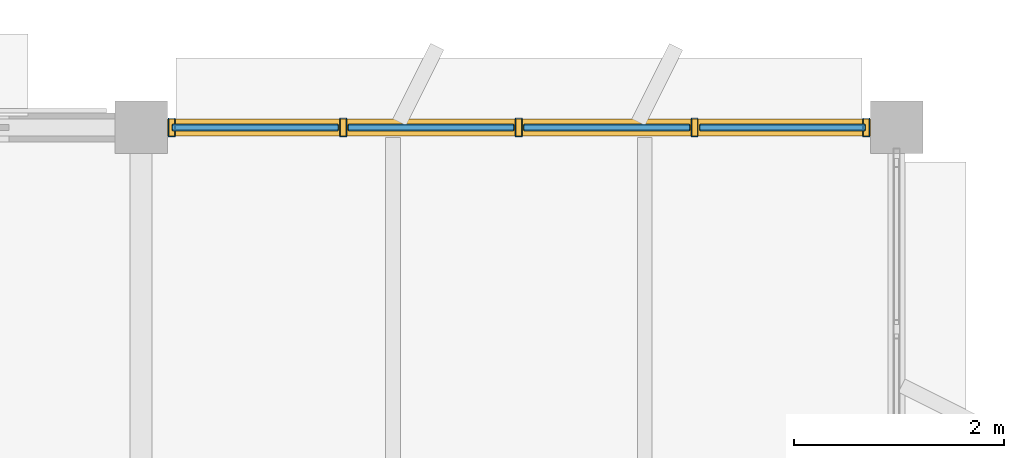
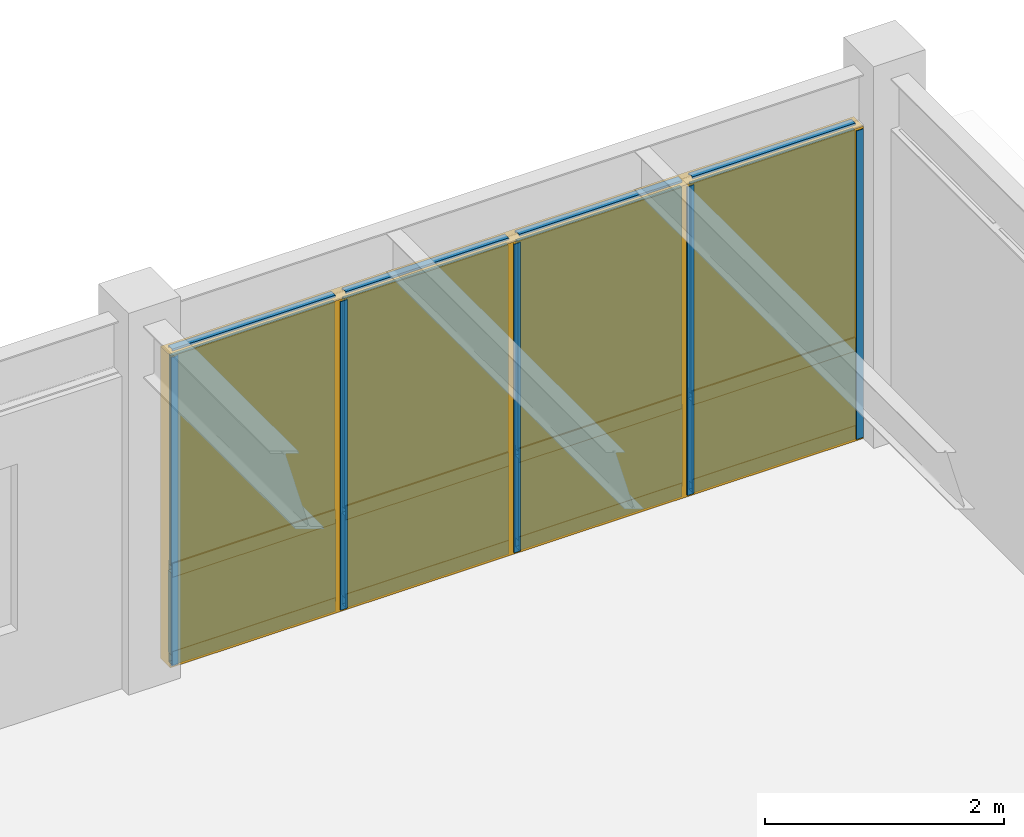
# One storey, part 18 of 23: 17 members, 8 plates, 1 curtain wall.
"""IFC4 building model written with IfcOpenShell, lengths in metres."""

from ifc_helpers import new_model, si_unit, direction, frame, origin, origin_2d, place, context, subcontext, project, spatial, rectangle, hollow_rectangle, extrude, material, layer, layer_set, material_profile, profile_set, type_object, element, aggregate, save


model = new_model("IFC4")

# Units and contexts
model_context = context("Model", 3, precision=1e-05, world=origin(), true_north=direction((0.0, 1.0)))
body_context = subcontext(model_context, "Body", "Model", "MODEL_VIEW")
ifc_project = project(units=[si_unit("LENGTHUNIT", "METRE"), si_unit("AREAUNIT", "SQUARE_METRE"), si_unit("VOLUMEUNIT", "CUBIC_METRE"), si_unit("PLANEANGLEUNIT", "RADIAN"), si_unit("MASSUNIT", "GRAM", prefix="KILO")], contexts=[model_context])

# Member
ifc_material_1 = material(Name="Anodized Aluminium 6063-T6", Category="aluminium")
ifc_material_profile_1 = material_profile(ifc_material_1, hollow_rectangle(XDim=0.06494140625, YDim=0.179931640625, WallThickness=0.00390625, at=origin_2d()), Name="ALU 65x180x4")
ifc_profile_set_1 = profile_set([ifc_material_profile_1], Name="Anodized Aluminium 6063-T6")
member_type_1 = type_object("IfcMemberType", Name="CWM-65X150", PredefinedType="MULLION", material=ifc_profile_set_1)
site_placement = place(None, origin())
building_placement = place(site_placement, origin())
storey_placement = place(building_placement, frame((0.0, 0.0, 21.89990234375)))
member_1_placement = place(storey_placement, frame((93.889892578125, 115.199951171875, 0.02001953125), z_axis=(0.0, 0.0, 1.0), x_axis=(1.0, 0.0, 0.0)))
member_1 = element("IfcMember", 1, at=member_1_placement, type_object=member_type_1, Name="Curtain wall mullion CW-L06-13-15-N-00", PredefinedType="MULLION", context=body_context, shape_type="SweptSolid", body=[
    extrude(hollow_rectangle(XDim=0.06494140625, YDim=0.179931640625, WallThickness=0.00390625, at=origin_2d()), origin(), (0.0, 0.0, 1.0), 3.152099609375),
])

member_2_placement = place(storey_placement, frame((95.52490234375, 115.199951171875, 0.02001953125), z_axis=(0.0, 0.0, 1.0), x_axis=(1.0, 0.0, 0.0)))
member_2 = element("IfcMember", 2, at=member_2_placement, type_object=member_type_1, Name="Curtain wall mullion CW-L06-13-15-N-01", PredefinedType="MULLION", context=body_context, shape_type="SweptSolid", body=[
    extrude(hollow_rectangle(XDim=0.06494140625, YDim=0.179931640625, WallThickness=0.00390625, at=origin_2d()), origin(), (0.0, 0.0, 1.0), 3.152099609375),
])

member_3_placement = place(storey_placement, frame((97.199951171875, 115.199951171875, 0.02001953125), z_axis=(0.0, 0.0, 1.0), x_axis=(1.0, 0.0, 0.0)))
member_3 = element("IfcMember", 3, at=member_3_placement, type_object=member_type_1, Name="Curtain wall mullion CW-L06-13-15-N-02", PredefinedType="MULLION", context=body_context, shape_type="SweptSolid", body=[
    extrude(hollow_rectangle(XDim=0.06494140625, YDim=0.179931640625, WallThickness=0.00390625, at=origin_2d()), origin(), (0.0, 0.0, 1.0), 3.152099609375),
])

member_4_placement = place(storey_placement, frame((98.875, 115.199951171875, 0.02001953125), z_axis=(0.0, 0.0, 1.0), x_axis=(1.0, 0.0, 0.0)))
member_4 = element("IfcMember", 4, at=member_4_placement, type_object=member_type_1, Name="Curtain wall mullion CW-L06-13-15-N-03", PredefinedType="MULLION", context=body_context, shape_type="SweptSolid", body=[
    extrude(hollow_rectangle(XDim=0.06494140625, YDim=0.179931640625, WallThickness=0.00390625, at=origin_2d()), origin(), (0.0, 0.0, 1.0), 3.152099609375),
])

member_5_placement = place(storey_placement, frame((100.510009765625, 115.199951171875, 0.02001953125), z_axis=(0.0, 0.0, 1.0), x_axis=(1.0, 0.0, 0.0)))
member_5 = element("IfcMember", 5, at=member_5_placement, type_object=member_type_1, Name="Curtain wall mullion CW-L06-13-15-N-04", PredefinedType="MULLION", context=body_context, shape_type="SweptSolid", body=[
    extrude(hollow_rectangle(XDim=0.06494140625, YDim=0.179931640625, WallThickness=0.00390625, at=origin_2d()), origin(), (0.0, 0.0, 1.0), 3.152099609375),
])

ifc_material_profile_2 = material_profile(ifc_material_1, hollow_rectangle(XDim=0.06494140625, YDim=0.139892578125, WallThickness=0.00390625, at=origin_2d()), Name="ALU 65x140x4")
ifc_profile_set_2 = profile_set([ifc_material_profile_2], Name="Anodized Aluminium 6063-T6")
member_type_2 = type_object("IfcMemberType", Name="CWT-65X120", PredefinedType="USERDEFINED", material=ifc_profile_set_2)
member_6_placement = place(storey_placement, frame((93.89990234375, 115.199951171875, 0.050048828125), z_axis=(1.0, 0.0, 0.0), x_axis=(0.0, 1.0, 0.0)))
member_6 = element("IfcMember", 6, at=member_6_placement, type_object=member_type_2, Name="Curtain wall transom CW-L06-13-15-N-1.01", ObjectType="TRANSOM", PredefinedType="USERDEFINED", context=body_context, shape_type="SweptSolid", body=[
    extrude(hollow_rectangle(XDim=0.06494140625, YDim=0.139892578125, WallThickness=0.00390625, at=origin_2d()), origin(), (0.0, 0.0, 1.0), 1.5751953125),
])

member_7_placement = place(storey_placement, frame((95.574951171875, 115.199951171875, 0.050048828125), z_axis=(1.0, 0.0, 0.0), x_axis=(0.0, 1.0, 0.0)))
member_7 = element("IfcMember", 7, at=member_7_placement, type_object=member_type_2, Name="Curtain wall transom CW-L06-13-15-N-1.02", ObjectType="TRANSOM", PredefinedType="USERDEFINED", context=body_context, shape_type="SweptSolid", body=[
    extrude(hollow_rectangle(XDim=0.06494140625, YDim=0.139892578125, WallThickness=0.00390625, at=origin_2d()), origin(), (0.0, 0.0, 1.0), 1.574951171875),
])

member_8_placement = place(storey_placement, frame((97.25, 115.199951171875, 0.050048828125), z_axis=(1.0, 0.0, 0.0), x_axis=(0.0, 1.0, 0.0)))
member_8 = element("IfcMember", 8, at=member_8_placement, type_object=member_type_2, Name="Curtain wall transom CW-L06-13-15-N-1.03", ObjectType="TRANSOM", PredefinedType="USERDEFINED", context=body_context, shape_type="SweptSolid", body=[
    extrude(hollow_rectangle(XDim=0.06494140625, YDim=0.139892578125, WallThickness=0.00390625, at=origin_2d()), origin(), (0.0, 0.0, 1.0), 1.574951171875),
])

member_9_placement = place(storey_placement, frame((98.925048828125, 115.199951171875, 0.050048828125), z_axis=(1.0, 0.0, 0.0), x_axis=(0.0, 1.0, 0.0)))
member_9 = element("IfcMember", 9, at=member_9_placement, type_object=member_type_2, Name="Curtain wall transom CW-L06-13-15-N-1.04", ObjectType="TRANSOM", PredefinedType="USERDEFINED", context=body_context, shape_type="SweptSolid", body=[
    extrude(hollow_rectangle(XDim=0.06494140625, YDim=0.139892578125, WallThickness=0.00390625, at=origin_2d()), origin(), (0.0, 0.0, 1.0), 1.574951171875),
])

member_10_placement = place(storey_placement, frame((93.89990234375, 115.199951171875, 0.9501953125), z_axis=(1.0, 0.0, 0.0), x_axis=(0.0, 1.0, 0.0)))
member_10 = element("IfcMember", 10, at=member_10_placement, type_object=member_type_2, Name="Curtain wall transom CW-L06-13-15-N-2.01", ObjectType="TRANSOM", PredefinedType="USERDEFINED", context=body_context, shape_type="SweptSolid", body=[
    extrude(hollow_rectangle(XDim=0.06494140625, YDim=0.139892578125, WallThickness=0.00390625, at=origin_2d()), origin(), (0.0, 0.0, 1.0), 1.5751953125),
])

member_11_placement = place(storey_placement, frame((95.574951171875, 115.199951171875, 0.9501953125), z_axis=(1.0, 0.0, 0.0), x_axis=(0.0, 1.0, 0.0)))
member_11 = element("IfcMember", 11, at=member_11_placement, type_object=member_type_2, Name="Curtain wall transom CW-L06-13-15-N-2.02", ObjectType="TRANSOM", PredefinedType="USERDEFINED", context=body_context, shape_type="SweptSolid", body=[
    extrude(hollow_rectangle(XDim=0.06494140625, YDim=0.139892578125, WallThickness=0.00390625, at=origin_2d()), origin(), (0.0, 0.0, 1.0), 1.574951171875),
])

member_12_placement = place(storey_placement, frame((97.25, 115.199951171875, 0.9501953125), z_axis=(1.0, 0.0, 0.0), x_axis=(0.0, 1.0, 0.0)))
member_12 = element("IfcMember", 12, at=member_12_placement, type_object=member_type_2, Name="Curtain wall transom CW-L06-13-15-N-2.03", ObjectType="TRANSOM", PredefinedType="USERDEFINED", context=body_context, shape_type="SweptSolid", body=[
    extrude(hollow_rectangle(XDim=0.06494140625, YDim=0.139892578125, WallThickness=0.00390625, at=origin_2d()), origin(), (0.0, 0.0, 1.0), 1.574951171875),
])

member_13_placement = place(storey_placement, frame((98.925048828125, 115.199951171875, 0.9501953125), z_axis=(1.0, 0.0, 0.0), x_axis=(0.0, 1.0, 0.0)))
member_13 = element("IfcMember", 13, at=member_13_placement, type_object=member_type_2, Name="Curtain wall transom CW-L06-13-15-N-2.04", ObjectType="TRANSOM", PredefinedType="USERDEFINED", context=body_context, shape_type="SweptSolid", body=[
    extrude(hollow_rectangle(XDim=0.06494140625, YDim=0.139892578125, WallThickness=0.00390625, at=origin_2d()), origin(), (0.0, 0.0, 1.0), 1.574951171875),
])

member_14_placement = place(storey_placement, frame((93.89990234375, 115.199951171875, 3.14208984375), z_axis=(1.0, 0.0, 0.0), x_axis=(0.0, 1.0, 0.0)))
member_14 = element("IfcMember", 14, at=member_14_placement, type_object=member_type_2, Name="Curtain wall transom CW-L06-13-15-N-3.01", ObjectType="TRANSOM", PredefinedType="USERDEFINED", context=body_context, shape_type="SweptSolid", body=[
    extrude(hollow_rectangle(XDim=0.06494140625, YDim=0.139892578125, WallThickness=0.00390625, at=origin_2d()), origin(), (0.0, 0.0, 1.0), 1.5751953125),
])

member_15_placement = place(storey_placement, frame((95.574951171875, 115.199951171875, 3.14208984375), z_axis=(1.0, 0.0, 0.0), x_axis=(0.0, 1.0, 0.0)))
member_15 = element("IfcMember", 15, at=member_15_placement, type_object=member_type_2, Name="Curtain wall transom CW-L06-13-15-N-3.02", ObjectType="TRANSOM", PredefinedType="USERDEFINED", context=body_context, shape_type="SweptSolid", body=[
    extrude(hollow_rectangle(XDim=0.06494140625, YDim=0.139892578125, WallThickness=0.00390625, at=origin_2d()), origin(), (0.0, 0.0, 1.0), 1.574951171875),
])

member_16_placement = place(storey_placement, frame((97.25, 115.199951171875, 3.14208984375), z_axis=(1.0, 0.0, 0.0), x_axis=(0.0, 1.0, 0.0)))
member_16 = element("IfcMember", 16, at=member_16_placement, type_object=member_type_2, Name="Curtain wall transom CW-L06-13-15-N-3.03", ObjectType="TRANSOM", PredefinedType="USERDEFINED", context=body_context, shape_type="SweptSolid", body=[
    extrude(hollow_rectangle(XDim=0.06494140625, YDim=0.139892578125, WallThickness=0.00390625, at=origin_2d()), origin(), (0.0, 0.0, 1.0), 1.574951171875),
])

member_17_placement = place(storey_placement, frame((98.925048828125, 115.199951171875, 3.14208984375), z_axis=(1.0, 0.0, 0.0), x_axis=(0.0, 1.0, 0.0)))
member_17 = element("IfcMember", 17, at=member_17_placement, type_object=member_type_2, Name="Curtain wall transom CW-L06-13-15-N-3.04", ObjectType="TRANSOM", PredefinedType="USERDEFINED", context=body_context, shape_type="SweptSolid", body=[
    extrude(hollow_rectangle(XDim=0.06494140625, YDim=0.139892578125, WallThickness=0.00390625, at=origin_2d()), origin(), (0.0, 0.0, 1.0), 1.574951171875),
])

# Plate
ifc_material_2 = material(Name="Double Low-E Insulated Glazing Unit", Category="glass")
ifc_layer_1 = layer(ifc_material_2, 0.0380859375)
ifc_layer_set_1 = layer_set([ifc_layer_1], Name="Double Low-E Insulated Glazing Unit")
plate_type_1 = type_object("IfcPlateType", Name="CWP-IGU-38", PredefinedType="CURTAIN_PANEL", material=ifc_layer_set_1)
plate_1_placement = place(storey_placement, frame((94.6875, 115.199951171875, 0.989990234375), z_axis=(0.0, 0.0, 1.0), x_axis=(1.0, 0.0, 0.0)))
plate_1 = element("IfcPlate", 18, at=plate_1_placement, type_object=plate_type_1, Name="Curtain wall vision glazing CW-L06-13-15-N-01", PredefinedType="CURTAIN_PANEL", context=body_context, shape_type="SweptSolid", body=[
    extrude(rectangle(XDim=1.5849609375, YDim=0.0400390625, at=origin_2d()), origin(), (0.0, 0.0, 1.0), 2.14208984375),
])

plate_2_placement = place(storey_placement, frame((96.362548828125, 115.199951171875, 0.989990234375), z_axis=(0.0, 0.0, 1.0), x_axis=(1.0, 0.0, 0.0)))
plate_2 = element("IfcPlate", 19, at=plate_2_placement, type_object=plate_type_1, Name="Curtain wall vision glazing CW-L06-13-15-N-02", PredefinedType="CURTAIN_PANEL", context=body_context, shape_type="SweptSolid", body=[
    extrude(rectangle(XDim=1.5849609375, YDim=0.0400390625, at=origin_2d()), origin(), (0.0, 0.0, 1.0), 2.14208984375),
])

plate_3_placement = place(storey_placement, frame((98.03759765625, 115.199951171875, 0.989990234375), z_axis=(0.0, 0.0, 1.0), x_axis=(1.0, 0.0, 0.0)))
plate_3 = element("IfcPlate", 20, at=plate_3_placement, type_object=plate_type_1, Name="Curtain wall vision glazing CW-L06-13-15-N-03", PredefinedType="CURTAIN_PANEL", context=body_context, shape_type="SweptSolid", body=[
    extrude(rectangle(XDim=1.5849609375, YDim=0.0400390625, at=origin_2d()), origin(), (0.0, 0.0, 1.0), 2.14208984375),
])

plate_4_placement = place(storey_placement, frame((99.71240234375, 115.199951171875, 0.989990234375), z_axis=(0.0, 0.0, 1.0), x_axis=(1.0, 0.0, 0.0)))
plate_4 = element("IfcPlate", 21, at=plate_4_placement, type_object=plate_type_1, Name="Curtain wall vision glazing CW-L06-13-15-N-04", PredefinedType="CURTAIN_PANEL", context=body_context, shape_type="SweptSolid", body=[
    extrude(rectangle(XDim=1.5849609375, YDim=0.0400390625, at=origin_2d()), origin(), (0.0, 0.0, 1.0), 2.14208984375),
])

ifc_material_3 = material(Name="Insulated Bronze Aluminium Spandrel", Category="aluminium")
ifc_layer_2 = layer(ifc_material_3, 0.06005859375)
ifc_layer_set_2 = layer_set([ifc_layer_2], Name="Insulated Bronze Aluminium Spandrel")
plate_type_2 = type_object("IfcPlateType", Name="CWP-SPN-60", PredefinedType="CURTAIN_PANEL", material=ifc_layer_set_2)
plate_5_placement = place(storey_placement, frame((94.6875, 115.199951171875, 0.080078125), z_axis=(0.0, 0.0, 1.0), x_axis=(1.0, 0.0, 0.0)))
plate_5 = element("IfcPlate", 22, at=plate_5_placement, type_object=plate_type_2, Name="Curtain wall spandrel panel CW-L06-13-15-N-01", PredefinedType="CURTAIN_PANEL", context=body_context, shape_type="SweptSolid", body=[
    extrude(rectangle(XDim=1.5849609375, YDim=0.06005859375, at=origin_2d()), origin(), (0.0, 0.0, 1.0), 0.840087890625),
])

plate_6_placement = place(storey_placement, frame((96.362548828125, 115.199951171875, 0.080078125), z_axis=(0.0, 0.0, 1.0), x_axis=(1.0, 0.0, 0.0)))
plate_6 = element("IfcPlate", 23, at=plate_6_placement, type_object=plate_type_2, Name="Curtain wall spandrel panel CW-L06-13-15-N-02", PredefinedType="CURTAIN_PANEL", context=body_context, shape_type="SweptSolid", body=[
    extrude(rectangle(XDim=1.5849609375, YDim=0.06005859375, at=origin_2d()), origin(), (0.0, 0.0, 1.0), 0.840087890625),
])

plate_7_placement = place(storey_placement, frame((98.03759765625, 115.199951171875, 0.080078125), z_axis=(0.0, 0.0, 1.0), x_axis=(1.0, 0.0, 0.0)))
plate_7 = element("IfcPlate", 24, at=plate_7_placement, type_object=plate_type_2, Name="Curtain wall spandrel panel CW-L06-13-15-N-03", PredefinedType="CURTAIN_PANEL", context=body_context, shape_type="SweptSolid", body=[
    extrude(rectangle(XDim=1.5849609375, YDim=0.06005859375, at=origin_2d()), origin(), (0.0, 0.0, 1.0), 0.840087890625),
])

plate_8_placement = place(storey_placement, frame((99.71240234375, 115.199951171875, 0.080078125), z_axis=(0.0, 0.0, 1.0), x_axis=(1.0, 0.0, 0.0)))
plate_8 = element("IfcPlate", 25, at=plate_8_placement, type_object=plate_type_2, Name="Curtain wall spandrel panel CW-L06-13-15-N-04", PredefinedType="CURTAIN_PANEL", context=body_context, shape_type="SweptSolid", body=[
    extrude(rectangle(XDim=1.5849609375, YDim=0.06005859375, at=origin_2d()), origin(), (0.0, 0.0, 1.0), 0.840087890625),
])

# Site, building, storey
site = spatial("IfcSite", under=ifc_project, at=site_placement, CompositionType="ELEMENT")
building = spatial("IfcBuilding", under=site, at=building_placement, Name="Sillqori Civic Hall", CompositionType="ELEMENT")
storey = spatial("IfcBuildingStorey", under=building, at=storey_placement, Name="L06", CompositionType="ELEMENT", Elevation=21.89990234375)

# Curtain wall
ifc_material_4 = material(Name="Anodized Aluminium Curtain Wall System", Category="aluminium")
curtain_wall_type = type_object("IfcCurtainWallType", Name="CW-EX-375", PredefinedType="NOTDEFINED", material=ifc_material_4)
curtain_wall_placement = place(storey_placement, frame((97.199951171875, 115.199951171875, 0.000244140625), z_axis=(0.0, 0.0, 1.0), x_axis=(1.0, 0.0, 0.0)))
curtain_wall = element("IfcCurtainWall", 26, at=curtain_wall_placement, inside=storey, type_object=curtain_wall_type, Name="L06 unitised curtain wall CW-L06-13-15-N", PredefinedType="NOTDEFINED", context=body_context, shape_type="SweptSolid", body=[
    extrude(rectangle(XDim=6.699951171875, YDim=0.159912109375, at=origin_2d()), origin(), (0.0, 0.0, 1.0), 3.19189453125),
])

aggregate(curtain_wall, [member_1, member_2, member_3, member_4, member_5, member_6, member_7, member_8, member_9, member_10, member_11, member_12, member_13, member_14, member_15, member_16, member_17, plate_5, plate_1, plate_6, plate_2, plate_7, plate_3, plate_8, plate_4])

save(model, "model.ifc")
